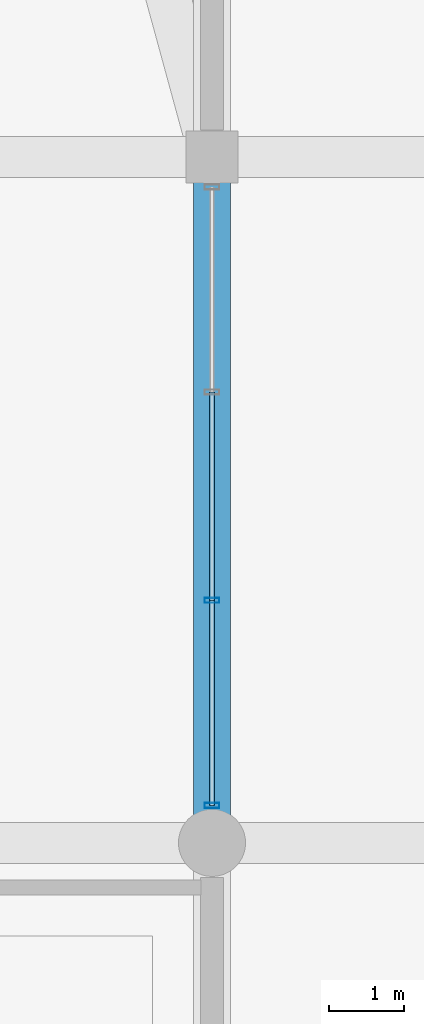
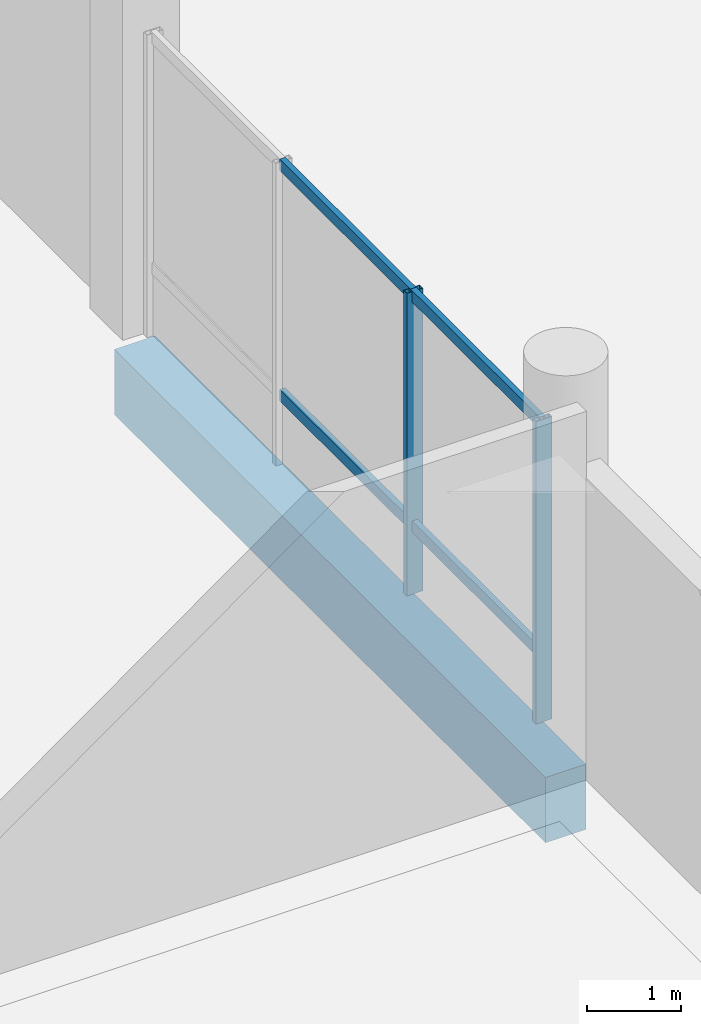
# One storey, part 17 of 73: 6 members, 1 beam, 1 element without a shape of its own.
"""IFC4 building model written with IfcOpenShell, lengths in metres."""

from ifc_helpers import new_model, si_unit, direction, frame, origin, origin_2d, place, context, subcontext, project, spatial, rectangle, hollow_rectangle, extrude, material, layer, layer_set, material_profile, profile_set, type_object, element, aggregate, save


model = new_model("IFC4")

# Units and contexts
model_context = context("Model", 3, precision=1e-05, world=origin(), true_north=direction((0.0, 1.0)))
body_context = subcontext(model_context, "Body", "Model", "MODEL_VIEW")
ifc_project = project(units=[si_unit("LENGTHUNIT", "METRE"), si_unit("AREAUNIT", "SQUARE_METRE"), si_unit("VOLUMEUNIT", "CUBIC_METRE"), si_unit("PLANEANGLEUNIT", "RADIAN"), si_unit("MASSUNIT", "GRAM", prefix="KILO")], contexts=[model_context])

# Site, building, storey
site_placement = place(None, origin())
site = spatial("IfcSite", under=ifc_project, at=site_placement, CompositionType="ELEMENT")
building_placement = place(site_placement, origin())
building = spatial("IfcBuilding", under=site, at=building_placement, Name="Meriwether Solvik Hall", CompositionType="ELEMENT")
storey_placement = place(building_placement, origin())
storey = spatial("IfcBuildingStorey", under=building, at=storey_placement, Name="L00", CompositionType="ELEMENT", Elevation=0.0)

# Beam
ifc_material_1 = material(Name="Concrete C40/50", Category="concrete")
ifc_material_profile_1 = material_profile(ifc_material_1, rectangle(XDim=0.5, YDim=0.85009765625, at=origin_2d()), Name="RCB-500X850")
ifc_profile_set_1 = profile_set([ifc_material_profile_1], Name="Concrete C40/50")
beam_type = type_object("IfcBeamType", Name="BM-RC-500X850", PredefinedType="BEAM", material=ifc_profile_set_1)
beam_placement = place(storey_placement, frame((114.199951171875, 32.0, -0.784912109375), z_axis=(0.0, 1.0, 0.0), x_axis=(-1.0, 0.0, 0.0)))
element("IfcBeam", 1, at=beam_placement, inside=storey, type_object=beam_type, Name="Podium Girder 13:D-E (L00)", PredefinedType="BEAM", context=body_context, shape_type="SweptSolid", body=[
    extrude(rectangle(XDim=0.5, YDim=0.85009765625, at=origin_2d()), origin(), (0.0, 0.0, 1.0), 9.199951171875),
])

# Curtain wall, members
ifc_material_2 = material(Name="Thermally Broken Anodised Aluminium 6063-T6 and Low-E Glass", Category="aluminium")
ifc_layer = layer(ifc_material_2, 0.179931640625)
ifc_layer_set = layer_set([ifc_layer], Name="Thermally Broken Anodised Aluminium 6063-T6 and Low-E Glass")
curtain_wall_type = type_object("IfcCurtainWallType", Name="CW-SF-POD-A", PredefinedType="USERDEFINED", material=ifc_layer_set)
curtain_wall_placement = place(storey_placement, origin())
curtain_wall = element("IfcCurtainWall", 2, at=curtain_wall_placement, inside=storey, type_object=curtain_wall_type, Name="Curtain Wall wing_Y13_4_62 (L00)", ObjectType="STICK STOREFRONT GLAZING", PredefinedType="USERDEFINED")
ifc_material_3 = material(Name="Anodised Aluminium 6063-T6", Category="aluminium")
ifc_material_profile_2 = material_profile(ifc_material_3, hollow_rectangle(XDim=0.070068359375, YDim=0.199951171875, WallThickness=0.0048828125, at=origin_2d()), Name="CWM-70X200")
ifc_profile_set_2 = profile_set([ifc_material_profile_2], Name="Anodised Aluminium 6063-T6")
member_type_1 = type_object("IfcMemberType", Name="CW-MUL-70X200", PredefinedType="MULLION", material=ifc_profile_set_2)
member_1_placement = place(storey_placement, frame((114.199951171875, 35.25390625, 0.0), z_axis=(0.0, 0.0, 1.0), x_axis=(0.0, -1.0, 0.0)))
member_1 = element("IfcMember", 3, at=member_1_placement, type_object=member_type_1, Name="Curtain Wall Mullion 3", PredefinedType="MULLION", context=body_context, shape_type="SweptSolid", body=[
    extrude(hollow_rectangle(XDim=0.070068359375, YDim=0.199951171875, WallThickness=0.0048828125, at=origin_2d()), origin(), (0.0, 0.0, 1.0), 3.93994140625),
])
member_2_placement = place(storey_placement, frame((114.199951171875, 32.5, 0.0), z_axis=(0.0, 0.0, 1.0), x_axis=(0.0, -1.0, 0.0)))
member_2 = element("IfcMember", 4, at=member_2_placement, type_object=member_type_1, Name="Curtain Wall Mullion 4", PredefinedType="MULLION", context=body_context, shape_type="SweptSolid", body=[
    extrude(hollow_rectangle(XDim=0.070068359375, YDim=0.199951171875, WallThickness=0.0048828125, at=origin_2d()), origin(), (0.0, 0.0, 1.0), 3.93994140625),
])
ifc_material_4 = material(Name="Anodised Aluminium 6063-T6", Category="aluminium")
ifc_material_profile_3 = material_profile(ifc_material_4, hollow_rectangle(XDim=0.070068359375, YDim=0.14990234375, WallThickness=0.0048828125, at=origin_2d()), Name="CWT-70X150")
ifc_profile_set_3 = profile_set([ifc_material_profile_3], Name="Anodised Aluminium 6063-T6")
member_type_2 = type_object("IfcMemberType", Name="CW-TRN-70X150", PredefinedType="USERDEFINED", material=ifc_profile_set_3)
member_3_placement = place(storey_placement, frame((114.199951171875, 38.0458984375, 0.8798828125), z_axis=(0.0, -1.0, 0.0), x_axis=(1.0, 0.0, 0.0)))
member_3 = element("IfcMember", 5, at=member_3_placement, type_object=member_type_2, Name="Curtain Wall Transom 2-sill", ObjectType="TRANSOM", PredefinedType="USERDEFINED", context=body_context, shape_type="SweptSolid", body=[
    extrude(hollow_rectangle(XDim=0.070068359375, YDim=0.14990234375, WallThickness=0.0048828125, at=origin_2d()), origin(), (0.0, 0.0, 1.0), 2.7919921875),
])
member_4_placement = place(storey_placement, frame((114.199951171875, 38.0458984375, 3.8798828125), z_axis=(0.0, -1.0, 0.0), x_axis=(1.0, 0.0, 0.0)))
member_4 = element("IfcMember", 6, at=member_4_placement, type_object=member_type_2, Name="Curtain Wall Transom 2-head", ObjectType="TRANSOM", PredefinedType="USERDEFINED", context=body_context, shape_type="SweptSolid", body=[
    extrude(hollow_rectangle(XDim=0.070068359375, YDim=0.14990234375, WallThickness=0.0048828125, at=origin_2d()), origin(), (0.0, 0.0, 1.0), 2.7919921875),
])
member_5_placement = place(storey_placement, frame((114.199951171875, 35.25390625, 0.8798828125), z_axis=(0.0, -1.0, 0.0), x_axis=(1.0, 0.0, 0.0)))
member_5 = element("IfcMember", 7, at=member_5_placement, type_object=member_type_2, Name="Curtain Wall Transom 3-sill", ObjectType="TRANSOM", PredefinedType="USERDEFINED", context=body_context, shape_type="SweptSolid", body=[
    extrude(hollow_rectangle(XDim=0.070068359375, YDim=0.14990234375, WallThickness=0.0048828125, at=origin_2d()), origin(), (0.0, 0.0, 1.0), 2.75390625),
])
member_6_placement = place(storey_placement, frame((114.199951171875, 35.25390625, 3.8798828125), z_axis=(0.0, -1.0, 0.0), x_axis=(1.0, 0.0, 0.0)))
member_6 = element("IfcMember", 8, at=member_6_placement, type_object=member_type_2, Name="Curtain Wall Transom 3-head", ObjectType="TRANSOM", PredefinedType="USERDEFINED", context=body_context, shape_type="SweptSolid", body=[
    extrude(hollow_rectangle(XDim=0.070068359375, YDim=0.14990234375, WallThickness=0.0048828125, at=origin_2d()), origin(), (0.0, 0.0, 1.0), 2.75390625),
])
aggregate(curtain_wall, [member_1, member_2, member_3, member_4, member_5, member_6])

save(model, "model.ifc")
